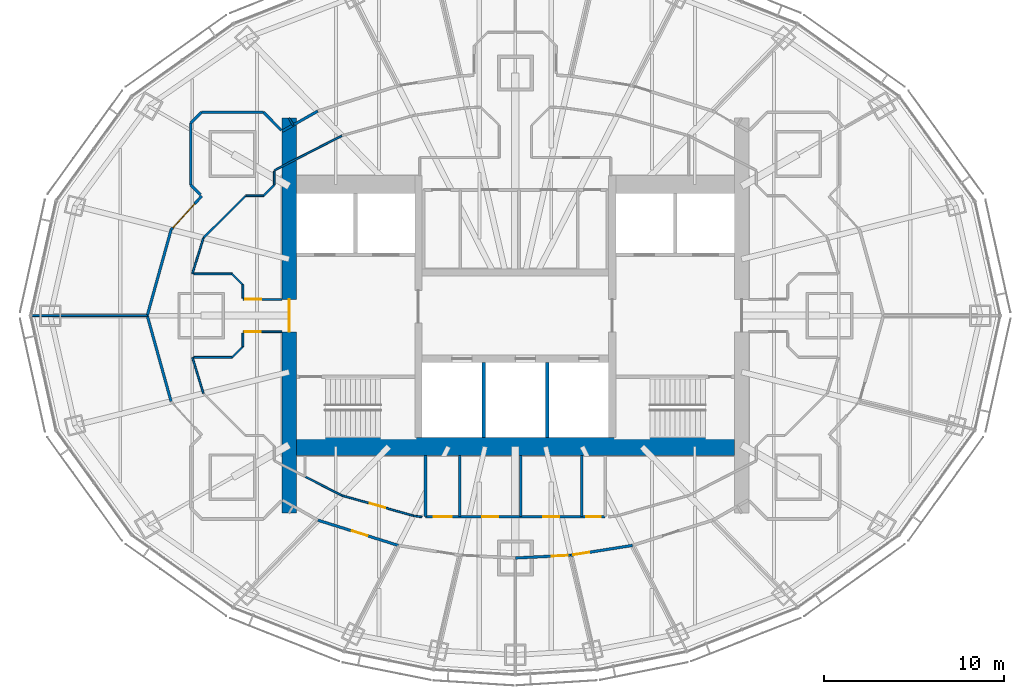
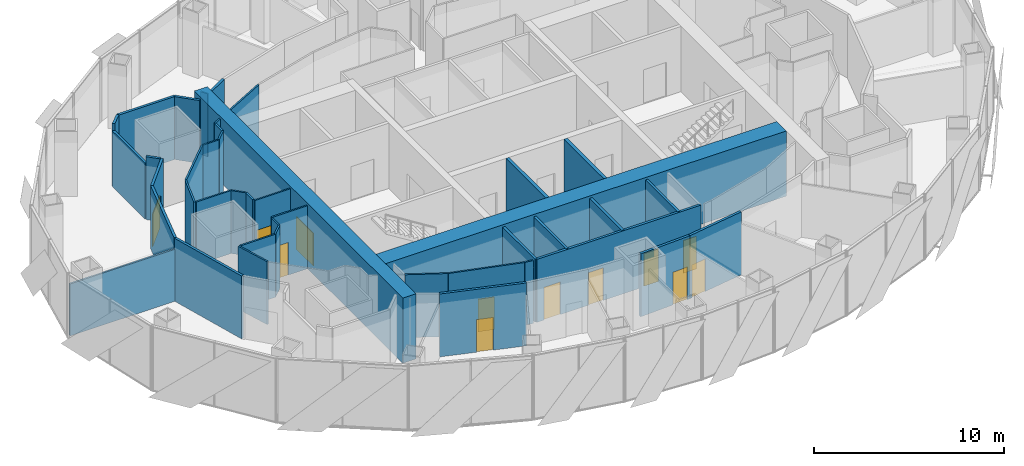
# One storey, part 12 of 18: 41 walls, 12 doors, 12 openings.
"""IFC4 building model written with IfcOpenShell, lengths in metres."""

from ifc_helpers import new_model, si_unit, direction, frame, frame_2d, origin, place, context, subcontext, project, spatial, rectangle, extrude, material, layer, layer_set, type_object, element, fill, save


model = new_model("IFC4")

# Units and contexts
model_context = context("Model", 3, precision=1e-05, world=origin(), true_north=direction((0.0, 1.0)))
body_context = subcontext(model_context, "Body", "Model", "MODEL_VIEW")
ifc_project = project(units=[si_unit("LENGTHUNIT", "METRE"), si_unit("AREAUNIT", "SQUARE_METRE"), si_unit("VOLUMEUNIT", "CUBIC_METRE"), si_unit("PLANEANGLEUNIT", "RADIAN"), si_unit("MASSUNIT", "GRAM", prefix="KILO")], contexts=[model_context])

# Site, building, storey
site_placement = place(None, origin())
site = spatial("IfcSite", under=ifc_project, at=site_placement, CompositionType="ELEMENT")
building_placement = place(site_placement, origin())
building = spatial("IfcBuilding", under=site, at=building_placement, Name="Lantaw Convention Tower", CompositionType="ELEMENT")
storey_placement = place(building_placement, frame((0.0, 0.0, 241.0)))
storey = spatial("IfcBuildingStorey", under=building, at=storey_placement, Name="L56", CompositionType="ELEMENT", Elevation=241.0)

# Wall
ifc_material_1 = material(Name="Concrete C60/75", Category="concrete")
ifc_layer_1 = layer(ifc_material_1, 1.0)
ifc_layer_set_1 = layer_set([ifc_layer_1], Name="Core wall 1000")
wall_type_1 = type_object("IfcWallType", Name="Core wall 1000", PredefinedType="SHEAR", material=ifc_layer_set_1)
wall_1_placement = place(storey_placement, frame((-12.199951171875, -7.300048828125, 0.0), z_axis=(0.0, 0.0, 1.0), x_axis=(1.0, 0.0, 0.0)))
element("IfcWall", 1, at=wall_1_placement, inside=storey, type_object=wall_type_1, Name="Core wall S", PredefinedType="SHEAR", context=body_context, shape_type="SweptSolid", body=[
    extrude(rectangle(XDim=24.39990234375, YDim=1.0, at=frame_2d((12.199951171875, 0.0))), origin(), (0.0, 0.0, 1.0), 4.199951171875),
])

# Wall, opening, door
ifc_layer_2 = layer(ifc_material_1, 0.800048828125)
ifc_layer_set_2 = layer_set([ifc_layer_2], Name="Core wall 800")
wall_type_2 = type_object("IfcWallType", Name="Core wall 800", PredefinedType="SHEAR", material=ifc_layer_set_2)
wall_2_placement = place(storey_placement, frame((-12.60009765625, 11.0, 0.0), z_axis=(0.0, 0.0, 1.0), x_axis=(0.0, -1.0, 0.0)))
wall_2 = element("IfcWall", 2, at=wall_2_placement, inside=storey, type_object=wall_type_2, Name="Core wall W", PredefinedType="SHEAR", context=body_context, shape_type="SweptSolid", body=[
    extrude(rectangle(XDim=22.0, YDim=0.800048828125, at=frame_2d((11.0, 0.0))), origin(), (0.0, 0.0, 1.0), 4.199951171875),
])
opening_1_placement = place(wall_2_placement, frame((10.10009765625, 0.0, 0.0)))
opening_1 = element("IfcOpeningElement", 3, at=opening_1_placement, cuts=wall_2, Name="Opening L56.06", PredefinedType="OPENING", context=body_context, shape_type="SweptSolid", body=[
    extrude(rectangle(XDim=1.800048828125, YDim=2.10009765625, at=frame_2d((0.89990234375, 1.050048828125))), frame((0.0, 0.409912109375, 0.0), z_axis=(0.0, -1.0, 0.0), x_axis=(1.0, 0.0, 0.0)), (0.0, 0.0, 1.0), 0.820068359375),
])
ifc_material_2 = material(Name="Steel, fire rated", Category="steel")
door_type_1 = type_object("IfcDoorType", Name="Lobby double door FD90", OperationType="DOUBLE_DOOR_DOUBLE_SWING", PredefinedType="DOOR", material=ifc_material_2)
door_1_placement = place(opening_1_placement, origin())
door_1 = element("IfcDoor", 4, at=door_1_placement, inside=storey, type_object=door_type_1, Name="Firefighting lobby door", OperationType="DOUBLE_DOOR_DOUBLE_SWING", OverallHeight=2.10009765625, OverallWidth=1.800048828125, PredefinedType="DOOR", context=body_context, shape_type="SweptSolid", body=[
    extrude(rectangle(XDim=1.800048828125, YDim=2.10009765625, at=frame_2d((0.89990234375, 1.050048828125))), frame((0.0, 0.02490234375, 0.0), z_axis=(0.0, -1.0, 0.0), x_axis=(1.0, 0.0, 0.0)), (0.0, 0.0, 1.0), 0.050048828125),
])
fill(opening_1, door_1)

# Walls
ifc_material_3 = material(Name="Gypsum board on steel studs, fire rated", Category="steel")
ifc_layer_3 = layer(ifc_material_3, 0.14990234375)
ifc_layer_set_3 = layer_set([ifc_layer_3], Name="Corridor wall 150 EI 60")
wall_type_3 = type_object("IfcWallType", Name="Corridor wall 150 EI 60", PredefinedType="PARTITIONING", material=ifc_layer_set_3)
for number, where, z_axis, x_axis, name in (
    (5, (-19.171875, 4.780029296875, 0.0), (0.0, 0.0, 1.0), (-0.26770731566, -0.963500281859, 0.0), "Corridor wall 150"),
    (6, (-20.5, 0.0, 0.0), (0.0, 0.0, 1.0), (0.26770731566, -0.963500281859, 0.0), "Corridor wall 150"),
):
    element("IfcWall", number, at=place(storey_placement, frame(where, z_axis=z_axis, x_axis=x_axis)), inside=storey, type_object=wall_type_3, Name=name, PredefinedType="PARTITIONING", context=body_context, shape_type="SweptSolid", body=[
        extrude(rectangle(XDim=4.961181640625, YDim=0.14990234375, at=frame_2d((2.48046875, 0.0))), origin(), (0.0, 0.0, 1.0), 4.050048828125),
    ])

# Wall, opening, door
wall_3_placement = place(storey_placement, frame((-11.000732421875, -11.3916015625, 0.0), z_axis=(0.0, 0.0, 1.0), x_axis=(0.954031103669, -0.299707612903, 0.0)))
wall_3 = element("IfcWall", 7, at=wall_3_placement, inside=storey, type_object=wall_type_3, Name="Corridor wall 150", PredefinedType="PARTITIONING", context=body_context, shape_type="SweptSolid", body=[
    extrude(rectangle(XDim=4.6953125, YDim=0.14990234375, at=frame_2d((2.34765625, 0.0))), origin(), (0.0, 0.0, 1.0), 4.050048828125),
])
opening_2_placement = place(wall_3_placement, frame((2.00048828125, 0.0, 0.0)))
opening_2 = element("IfcOpeningElement", 8, at=opening_2_placement, cuts=wall_3, Name="Opening L56.37", PredefinedType="OPENING", context=body_context, shape_type="SweptSolid", body=[
    extrude(rectangle(XDim=0.89990234375, YDim=2.10009765625, at=frame_2d((0.449951171875, 1.050048828125))), frame((0.0, 0.0849609375, 0.0), z_axis=(0.0, -1.0, 0.0), x_axis=(1.0, 0.0, 0.0)), (0.0, 0.0, 1.0), 0.169921875),
])
door_type_2 = type_object("IfcDoorType", Name="Office door 900 FD30", OperationType="SINGLE_SWING_LEFT", PredefinedType="DOOR", material=ifc_material_2)
door_2_placement = place(opening_2_placement, origin())
door_2 = element("IfcDoor", 9, at=door_2_placement, inside=storey, type_object=door_type_2, Name="Private office door", OperationType="SINGLE_SWING_LEFT", OverallHeight=2.10009765625, OverallWidth=0.89990234375, PredefinedType="DOOR", context=body_context, shape_type="SweptSolid", body=[
    extrude(rectangle(XDim=0.89990234375, YDim=2.10009765625, at=frame_2d((0.449951171875, 1.050048828125))), frame((0.0, 0.02490234375, 0.0), z_axis=(0.0, -1.0, 0.0), x_axis=(1.0, 0.0, 0.0)), (0.0, 0.0, 1.0), 0.050048828125),
])
fill(opening_2, door_2)

wall_4_placement = place(storey_placement, frame((0.0, -13.5, 0.0), z_axis=(0.0, 0.0, 1.0), x_axis=(0.99876434787, 0.049696855278, 0.0)))
wall_4 = element("IfcWall", 10, at=wall_4_placement, inside=storey, type_object=wall_type_3, Name="Corridor wall 150", PredefinedType="PARTITIONING", context=body_context, shape_type="SweptSolid", body=[
    extrude(rectangle(XDim=3.085205078125, YDim=0.14990234375, at=frame_2d((1.54248046875, 0.0))), origin(), (0.0, 0.0, 1.0), 4.050048828125),
])
opening_3_placement = place(wall_4_placement, frame((2.03515625, 0.0, 0.0)))
opening_3 = element("IfcOpeningElement", 11, at=opening_3_placement, cuts=wall_4, Name="Opening L56.40", PredefinedType="OPENING", context=body_context, shape_type="SweptSolid", body=[
    extrude(rectangle(XDim=0.89990234375, YDim=2.10009765625, at=frame_2d((0.449951171875, 1.050048828125))), frame((0.0, 0.0849609375, 0.0), z_axis=(0.0, -1.0, 0.0), x_axis=(1.0, 0.0, 0.0)), (0.0, 0.0, 1.0), 0.169921875),
])
door_3_placement = place(opening_3_placement, origin())
door_3 = element("IfcDoor", 12, at=door_3_placement, inside=storey, type_object=door_type_2, Name="Private office door", OperationType="SINGLE_SWING_LEFT", OverallHeight=2.10009765625, OverallWidth=0.89990234375, PredefinedType="DOOR", context=body_context, shape_type="SweptSolid", body=[
    extrude(rectangle(XDim=0.89990234375, YDim=2.10009765625, at=frame_2d((0.449951171875, 1.050048828125))), frame((0.0, 0.02490234375, 0.0), z_axis=(0.0, -1.0, 0.0), x_axis=(1.0, 0.0, 0.0)), (0.0, 0.0, 1.0), 0.050048828125),
])
fill(opening_3, door_3)

wall_5_placement = place(storey_placement, frame((3.081298828125, -13.3466796875, 0.0), z_axis=(0.0, 0.0, 1.0), x_axis=(0.987554093087, 0.157279729233, 0.0)))
wall_5 = element("IfcWall", 13, at=wall_5_placement, inside=storey, type_object=wall_type_3, Name="Corridor wall 150", PredefinedType="PARTITIONING", context=body_context, shape_type="SweptSolid", body=[
    extrude(rectangle(XDim=3.4833984375, YDim=0.14990234375, at=frame_2d((1.74169921875, 0.0))), origin(), (0.0, 0.0, 1.0), 4.050048828125),
])
opening_4_placement = place(wall_5_placement, frame((0.14990234375, 0.0, 0.0)))
opening_4 = element("IfcOpeningElement", 14, at=opening_4_placement, cuts=wall_5, Name="Opening L56.41", PredefinedType="OPENING", context=body_context, shape_type="SweptSolid", body=[
    extrude(rectangle(XDim=0.89990234375, YDim=2.10009765625, at=frame_2d((0.449951171875, 1.050048828125))), frame((0.0, 0.0849609375, 0.0), z_axis=(0.0, -1.0, 0.0), x_axis=(1.0, 0.0, 0.0)), (0.0, 0.0, 1.0), 0.169921875),
])
door_4_placement = place(opening_4_placement, origin())
door_4 = element("IfcDoor", 15, at=door_4_placement, inside=storey, type_object=door_type_2, Name="Private office door", OperationType="SINGLE_SWING_LEFT", OverallHeight=2.10009765625, OverallWidth=0.89990234375, PredefinedType="DOOR", context=body_context, shape_type="SweptSolid", body=[
    extrude(rectangle(XDim=0.89990234375, YDim=2.10009765625, at=frame_2d((0.449951171875, 1.050048828125))), frame((0.0, 0.02490234375, 0.0), z_axis=(0.0, -1.0, 0.0), x_axis=(1.0, 0.0, 0.0)), (0.0, 0.0, 1.0), 0.050048828125),
])
fill(opening_4, door_4)

# Wall
wall_6_placement = place(storey_placement, frame((-11.000732421875, 11.3916015625, 0.0), z_axis=(0.0, 0.0, 1.0), x_axis=(-0.869722107117, -0.493541747366, 0.0)))
element("IfcWall", 16, at=wall_6_placement, inside=storey, type_object=wall_type_3, Name="Corridor wall 150", PredefinedType="PARTITIONING", context=body_context, shape_type="SweptSolid", body=[
    extrude(rectangle(XDim=2.26953125, YDim=0.14990234375, at=frame_2d((1.134765625, 0.0))), origin(), (0.0, 0.0, 1.0), 4.050048828125),
])

# Wall, opening, door
wall_7_placement = place(storey_placement, frame((-17.462646484375, 6.6650390625, 0.0), z_axis=(0.0, 0.0, 1.0), x_axis=(-0.671721890643, -0.74080341632, 0.0)))
wall_7 = element("IfcWall", 17, at=wall_7_placement, inside=storey, type_object=wall_type_3, Name="Corridor wall 150", PredefinedType="PARTITIONING", context=body_context, shape_type="SweptSolid", body=[
    extrude(rectangle(XDim=2.54443359375, YDim=0.14990234375, at=frame_2d((1.272216796875, 0.0))), origin(), (0.0, 0.0, 1.0), 4.050048828125),
])
opening_5_placement = place(wall_7_placement, frame((0.60009765625, 0.0, 0.0)))
opening_5 = element("IfcOpeningElement", 18, at=opening_5_placement, cuts=wall_7, Name="Opening L56.35", PredefinedType="OPENING", context=body_context, shape_type="SweptSolid", body=[
    extrude(rectangle(XDim=1.800048828125, YDim=2.10009765625, at=frame_2d((0.89990234375, 1.050048828125))), frame((0.0, 0.0849609375, 0.0), z_axis=(0.0, -1.0, 0.0), x_axis=(1.0, 0.0, 0.0)), (0.0, 0.0, 1.0), 0.169921875),
])
door_type_3 = type_object("IfcDoorType", Name="Office double door 1800 FD30", OperationType="DOUBLE_DOOR_DOUBLE_SWING", PredefinedType="DOOR", material=ifc_material_2)
door_5_placement = place(opening_5_placement, origin())
door_5 = element("IfcDoor", 19, at=door_5_placement, inside=storey, type_object=door_type_3, Name="Open office door", OperationType="DOUBLE_DOOR_DOUBLE_SWING", OverallHeight=2.10009765625, OverallWidth=1.800048828125, PredefinedType="DOOR", context=body_context, shape_type="SweptSolid", body=[
    extrude(rectangle(XDim=1.800048828125, YDim=2.10009765625, at=frame_2d((0.89990234375, 1.050048828125))), frame((0.0, 0.02490234375, 0.0), z_axis=(0.0, -1.0, 0.0), x_axis=(1.0, 0.0, 0.0)), (0.0, 0.0, 1.0), 0.050048828125),
])
fill(opening_5, door_5)

# Walls
wall_8_placement = place(storey_placement, frame((-18.074951171875, 10.724609375, 0.0), z_axis=(0.0, 0.0, 1.0), x_axis=(0.707106781187, 0.707106781187, 0.0)))
element("IfcWall", 20, at=wall_8_placement, inside=storey, type_object=wall_type_3, Name="Corridor wall 150", PredefinedType="PARTITIONING", context=body_context, shape_type="SweptSolid", body=[
    extrude(rectangle(XDim=0.84912109375, YDim=0.14990234375, at=frame_2d((0.424560546875, 0.0))), origin(), (0.0, 0.0, 1.0), 4.050048828125),
])
wall_9_placement = place(storey_placement, frame((-17.474609375, 11.324951171875, 0.0), z_axis=(0.0, 0.0, 1.0), x_axis=(1.0, 0.0, 0.0)))
element("IfcWall", 21, at=wall_9_placement, inside=storey, type_object=wall_type_3, Name="Corridor wall 150", PredefinedType="PARTITIONING", context=body_context, shape_type="SweptSolid", body=[
    extrude(rectangle(XDim=3.44921875, YDim=0.14990234375, at=frame_2d((1.724609375, 0.0))), origin(), (0.0, 0.0, 1.0), 4.050048828125),
])
wall_10_placement = place(storey_placement, frame((-14.025390625, 11.324951171875, 0.0), z_axis=(0.0, 0.0, 1.0), x_axis=(0.701113567316, -0.713049623606, 0.0)))
element("IfcWall", 22, at=wall_10_placement, inside=storey, type_object=wall_type_3, Name="Corridor wall 150", PredefinedType="PARTITIONING", context=body_context, shape_type="SweptSolid", body=[
    extrude(rectangle(XDim=1.411376953125, YDim=0.14990234375, at=frame_2d((0.70556640625, 0.0))), origin(), (0.0, 0.0, 1.0), 4.050048828125),
])
wall_11_placement = place(storey_placement, frame((-17.537841796875, 6.73828125, 0.0), z_axis=(0.0, 0.0, 1.0), x_axis=(-0.707106781187, 0.707106781187, 0.0)))
element("IfcWall", 23, at=wall_11_placement, inside=storey, type_object=wall_type_3, Name="Corridor wall 150", PredefinedType="PARTITIONING", context=body_context, shape_type="SweptSolid", body=[
    extrude(rectangle(XDim=0.759521484375, YDim=0.14990234375, at=frame_2d((0.3798828125, 0.0))), origin(), (0.0, 0.0, 1.0), 4.050048828125),
])
wall_12_placement = place(storey_placement, frame((-18.074951171875, 7.275390625, 0.0), z_axis=(0.0, 0.0, 1.0), x_axis=(0.0, 1.0, 0.0)))
element("IfcWall", 24, at=wall_12_placement, inside=storey, type_object=wall_type_3, Name="Corridor wall 150", PredefinedType="PARTITIONING", context=body_context, shape_type="SweptSolid", body=[
    extrude(rectangle(XDim=3.44921875, YDim=0.14990234375, at=frame_2d((1.724609375, 0.0))), origin(), (0.0, 0.0, 1.0), 3.600341796875),
])
ifc_material_4 = material(Name="Gypsum board on steel studs, acoustic", Category="steel")
ifc_layer_4 = layer(ifc_material_4, 0.10009765625)
ifc_layer_set_4 = layer_set([ifc_layer_4], Name="Office partition 100")
wall_type_4 = type_object("IfcWallType", Name="Office partition 100", PredefinedType="PARTITIONING", material=ifc_layer_set_4)
wall_13_placement = place(storey_placement, frame((-26.944091796875, 0.0, 0.0), z_axis=(0.0, 0.0, 1.0), x_axis=(1.0, 0.0, 0.0)))
element("IfcWall", 25, at=wall_13_placement, inside=storey, type_object=wall_type_4, Name="Office partition 100", PredefinedType="PARTITIONING", context=body_context, shape_type="SweptSolid", body=[
    extrude(rectangle(XDim=6.444091796875, YDim=0.10009765625, at=frame_2d((3.22216796875, 0.0))), origin(), (0.0, 0.0, 1.0), 3.348876953125),
])
wall_14_placement = place(storey_placement, frame((-5.199951171875, -11.21630859375, 0.0), z_axis=(0.0, 0.0, 1.0), x_axis=(-0.989797891768, 0.142478536811, 0.0)))
element("IfcWall", 26, at=wall_14_placement, inside=storey, type_object=wall_type_4, Name="Office partition 100", PredefinedType="PARTITIONING", context=body_context, shape_type="SweptSolid", body=[
    extrude(rectangle(XDim=0.48486328125, YDim=0.10009765625, at=frame_2d((0.242431640625, 0.0))), origin(), (0.0, 0.0, 1.0), 4.050048828125),
])

# Wall, opening, door
wall_15_placement = place(storey_placement, frame((-5.679931640625, -11.147216796875, 0.0), z_axis=(0.0, 0.0, 1.0), x_axis=(-0.961973498971, 0.273142796496, 0.0)))
wall_15 = element("IfcWall", 27, at=wall_15_placement, inside=storey, type_object=wall_type_4, Name="Office partition 100", PredefinedType="PARTITIONING", context=body_context, shape_type="SweptSolid", body=[
    extrude(rectangle(XDim=4.148193359375, YDim=0.10009765625, at=frame_2d((2.07421875, 0.0))), origin(), (0.0, 0.0, 1.0), 4.050048828125),
])
opening_6_placement = place(wall_15_placement, frame((1.624267578125, 0.0, 0.0)))
opening_6 = element("IfcOpeningElement", 28, at=opening_6_placement, cuts=wall_15, Name="Opening L56.23", PredefinedType="OPENING", context=body_context, shape_type="SweptSolid", body=[
    extrude(rectangle(XDim=0.89990234375, YDim=2.10009765625, at=frame_2d((0.449951171875, 1.050048828125))), frame((0.0, 0.06005859375, 0.0), z_axis=(0.0, -1.0, 0.0), x_axis=(1.0, 0.0, 0.0)), (0.0, 0.0, 1.0), 0.1201171875),
])
ifc_material_5 = material(Name="Timber", Category="wood")
door_type_4 = type_object("IfcDoorType", Name="Office door 900", OperationType="SINGLE_SWING_LEFT", PredefinedType="DOOR", material=ifc_material_5)
door_6_placement = place(opening_6_placement, origin())
door_6 = element("IfcDoor", 29, at=door_6_placement, inside=storey, type_object=door_type_4, Name="Project room door", OperationType="SINGLE_SWING_LEFT", OverallHeight=2.10009765625, OverallWidth=0.89990234375, PredefinedType="DOOR", context=body_context, shape_type="SweptSolid", body=[
    extrude(rectangle(XDim=0.89990234375, YDim=2.10009765625, at=frame_2d((0.449951171875, 1.050048828125))), frame((0.0, 0.02490234375, 0.0), z_axis=(0.0, -1.0, 0.0), x_axis=(1.0, 0.0, 0.0)), (0.0, 0.0, 1.0), 0.050048828125),
])
fill(opening_6, door_6)

# Walls
wall_16_placement = place(storey_placement, frame((-9.67041015625, -10.01416015625, 0.0), z_axis=(0.0, 0.0, 1.0), x_axis=(-0.889605609385, 0.456729525814, 0.0)))
element("IfcWall", 30, at=wall_16_placement, inside=storey, type_object=wall_type_4, Name="Office partition 100", PredefinedType="PARTITIONING", context=body_context, shape_type="SweptSolid", body=[
    extrude(rectangle(XDim=2.292724609375, YDim=0.10009765625, at=frame_2d((1.146484375, 0.0))), origin(), (0.0, 0.0, 1.0), 4.050048828125),
])
wall_17_placement = place(storey_placement, frame((-12.60009765625, 11.0, 0.0), z_axis=(0.0, 0.0, 1.0), x_axis=(0.493794495037, -0.869578631678, 0.0)))
element("IfcWall", 31, at=wall_17_placement, inside=storey, type_object=wall_type_4, Name="Office partition 100", PredefinedType="PARTITIONING", context=body_context, shape_type="SweptSolid", body=[
    extrude(rectangle(XDim=0.448974609375, YDim=0.10009765625, at=frame_2d((0.224609375, 0.0))), origin(), (0.0, 0.0, 1.0), 4.050048828125),
])
wall_18_placement = place(storey_placement, frame((-17.37158203125, -4.331298828125, 0.0), z_axis=(0.0, 0.0, 1.0), x_axis=(-0.293231279211, 0.956041535129, 0.0)))
element("IfcWall", 32, at=wall_18_placement, inside=storey, type_object=wall_type_4, Name="Office partition 100", PredefinedType="PARTITIONING", context=body_context, shape_type="SweptSolid", body=[
    extrude(rectangle(XDim=2.088134765625, YDim=0.10009765625, at=frame_2d((1.0439453125, 0.0))), origin(), (0.0, 0.0, 1.0), 4.050048828125),
])

# Wall, opening, door
wall_19_placement = place(storey_placement, frame((-15.1650390625, -0.89990234375, 0.0), z_axis=(0.0, 0.0, 1.0), x_axis=(1.0, 0.0, 0.0)))
wall_19 = element("IfcWall", 33, at=wall_19_placement, inside=storey, type_object=wall_type_4, Name="Office partition 100", PredefinedType="PARTITIONING", context=body_context, shape_type="SweptSolid", body=[
    extrude(rectangle(XDim=2.1650390625, YDim=0.10009765625, at=frame_2d((1.08251953125, 0.0))), origin(), (0.0, 0.0, 1.0), 4.050048828125),
])
opening_7_placement = place(wall_19_placement, frame((0.10009765625, 0.0, 0.0)))
opening_7 = element("IfcOpeningElement", 34, at=opening_7_placement, cuts=wall_19, Name="Opening L56.22", PredefinedType="OPENING", context=body_context, shape_type="SweptSolid", body=[
    extrude(rectangle(XDim=0.89990234375, YDim=2.10009765625, at=frame_2d((0.449951171875, 1.050048828125))), frame((0.0, 0.06005859375, 0.0), z_axis=(0.0, -1.0, 0.0), x_axis=(1.0, 0.0, 0.0)), (0.0, 0.0, 1.0), 0.1201171875),
])
door_7_placement = place(opening_7_placement, origin())
door_7 = element("IfcDoor", 35, at=door_7_placement, inside=storey, type_object=door_type_4, Name="Meeting room door", OperationType="SINGLE_SWING_LEFT", OverallHeight=2.10009765625, OverallWidth=0.89990234375, PredefinedType="DOOR", context=body_context, shape_type="SweptSolid", body=[
    extrude(rectangle(XDim=0.89990234375, YDim=2.10009765625, at=frame_2d((0.449951171875, 1.050048828125))), frame((0.0, 0.02490234375, 0.0), z_axis=(0.0, -1.0, 0.0), x_axis=(1.0, 0.0, 0.0)), (0.0, 0.0, 1.0), 0.050048828125),
])
fill(opening_7, door_7)

wall_20_placement = place(storey_placement, frame((-13.0, 0.89990234375, 0.0), z_axis=(0.0, 0.0, 1.0), x_axis=(-1.0, 0.0, 0.0)))
wall_20 = element("IfcWall", 36, at=wall_20_placement, inside=storey, type_object=wall_type_4, Name="Office partition 100", PredefinedType="PARTITIONING", context=body_context, shape_type="SweptSolid", body=[
    extrude(rectangle(XDim=2.1650390625, YDim=0.10009765625, at=frame_2d((1.08251953125, 0.0))), origin(), (0.0, 0.0, 1.0), 4.050048828125),
])
opening_8_placement = place(wall_20_placement, frame((1.14990234375, 0.0, 0.0)))
opening_8 = element("IfcOpeningElement", 37, at=opening_8_placement, cuts=wall_20, Name="Opening L56.27", PredefinedType="OPENING", context=body_context, shape_type="SweptSolid", body=[
    extrude(rectangle(XDim=0.89990234375, YDim=2.10009765625, at=frame_2d((0.449951171875, 1.050048828125))), frame((0.0, 0.06005859375, 0.0), z_axis=(0.0, -1.0, 0.0), x_axis=(1.0, 0.0, 0.0)), (0.0, 0.0, 1.0), 0.1201171875),
])
door_8_placement = place(opening_8_placement, origin())
door_8 = element("IfcDoor", 38, at=door_8_placement, inside=storey, type_object=door_type_4, Name="Project room door", OperationType="SINGLE_SWING_LEFT", OverallHeight=2.10009765625, OverallWidth=0.89990234375, PredefinedType="DOOR", context=body_context, shape_type="SweptSolid", body=[
    extrude(rectangle(XDim=0.89990234375, YDim=2.10009765625, at=frame_2d((0.449951171875, 1.050048828125))), frame((0.0, 0.02490234375, 0.0), z_axis=(0.0, -1.0, 0.0), x_axis=(1.0, 0.0, 0.0)), (0.0, 0.0, 1.0), 0.050048828125),
])
fill(opening_8, door_8)

# Walls
wall_21_placement = place(storey_placement, frame((-17.98388671875, 2.3349609375, 0.0), z_axis=(0.0, 0.0, 1.0), x_axis=(0.293231279211, 0.956041535129, 0.0)))
element("IfcWall", 39, at=wall_21_placement, inside=storey, type_object=wall_type_4, Name="Office partition 100", PredefinedType="PARTITIONING", context=body_context, shape_type="SweptSolid", body=[
    extrude(rectangle(XDim=2.088134765625, YDim=0.10009765625, at=frame_2d((1.0439453125, 0.0))), origin(), (0.0, 0.0, 1.0), 4.050048828125),
])
wall_22_placement = place(storey_placement, frame((-15.175048828125, -0.978271484375, 0.0), z_axis=(0.0, 0.0, 1.0), x_axis=(0.0, -1.0, 0.0)))
element("IfcWall", 40, at=wall_22_placement, inside=storey, type_object=wall_type_4, Name="Office partition 100", PredefinedType="PARTITIONING", context=body_context, shape_type="SweptSolid", body=[
    extrude(rectangle(XDim=0.746337890625, YDim=0.10009765625, at=frame_2d((0.373046875, 0.0))), origin(), (0.0, 0.0, 1.0), 4.050048828125),
])
wall_23_placement = place(storey_placement, frame((-15.175048828125, -1.724609375, 0.0), z_axis=(0.0, 0.0, 1.0), x_axis=(-0.707106781187, -0.707106781187, 0.0)))
element("IfcWall", 41, at=wall_23_placement, inside=storey, type_object=wall_type_4, Name="Office partition 100", PredefinedType="PARTITIONING", context=body_context, shape_type="SweptSolid", body=[
    extrude(rectangle(XDim=0.84912109375, YDim=0.10009765625, at=frame_2d((0.424560546875, 0.0))), origin(), (0.0, 0.0, 1.0), 4.050048828125),
])
for number, where, z_axis, x_axis, name in (
    (42, (-15.775390625, -2.324951171875, 0.0), (0.0, 0.0, 1.0), (-1.0, 0.0, 0.0), "Office partition 100"),
    (43, (-17.903076171875, 2.324951171875, 0.0), (0.0, 0.0, 1.0), (1.0, 0.0, 0.0), "Office partition 100"),
):
    element("IfcWall", number, at=place(storey_placement, frame(where, z_axis=z_axis, x_axis=x_axis)), inside=storey, type_object=wall_type_4, Name=name, PredefinedType="PARTITIONING", context=body_context, shape_type="SweptSolid", body=[
        extrude(rectangle(XDim=2.127685546875, YDim=0.10009765625, at=frame_2d((1.06396484375, 0.0))), origin(), (0.0, 0.0, 1.0), 4.050048828125),
    ])
wall_24_placement = place(storey_placement, frame((-15.775390625, 2.324951171875, 0.0), z_axis=(0.0, 0.0, 1.0), x_axis=(0.707106781187, -0.707106781187, 0.0)))
element("IfcWall", 44, at=wall_24_placement, inside=storey, type_object=wall_type_4, Name="Office partition 100", PredefinedType="PARTITIONING", context=body_context, shape_type="SweptSolid", body=[
    extrude(rectangle(XDim=0.84912109375, YDim=0.10009765625, at=frame_2d((0.424560546875, 0.0))), origin(), (0.0, 0.0, 1.0), 4.050048828125),
])
wall_25_placement = place(storey_placement, frame((-15.175048828125, 1.724609375, 0.0), z_axis=(0.0, 0.0, 1.0), x_axis=(0.0, -1.0, 0.0)))
element("IfcWall", 45, at=wall_25_placement, inside=storey, type_object=wall_type_4, Name="Office partition 100", PredefinedType="PARTITIONING", context=body_context, shape_type="SweptSolid", body=[
    extrude(rectangle(XDim=0.746337890625, YDim=0.10009765625, at=frame_2d((0.373046875, 0.0))), origin(), (0.0, 0.0, 1.0), 4.050048828125),
])
wall_26_placement = place(storey_placement, frame((-17.37158203125, 4.331298828125, 0.0), z_axis=(0.0, 0.0, 1.0), x_axis=(0.707587114823, 0.70662612104, 0.0)))
element("IfcWall", 46, at=wall_26_placement, inside=storey, type_object=wall_type_4, Name="Office partition 100", PredefinedType="PARTITIONING", context=body_context, shape_type="SweptSolid", body=[
    extrude(rectangle(XDim=3.302734375, YDim=0.10009765625, at=frame_2d((1.6513671875, 0.0))), origin(), (0.0, 0.0, 1.0), 4.050048828125),
])
wall_27_placement = place(storey_placement, frame((-13.4150390625, 8.091796875, 0.0), z_axis=(0.0, 0.0, 1.0), x_axis=(0.889620520549, 0.45670048108, 0.0)))
element("IfcWall", 47, at=wall_27_placement, inside=storey, type_object=wall_type_4, Name="Office partition 100", PredefinedType="PARTITIONING", context=body_context, shape_type="SweptSolid", body=[
    extrude(rectangle(XDim=4.209228515625, YDim=0.10009765625, at=frame_2d((2.1044921875, 0.0))), origin(), (0.0, 0.0, 1.0), 4.050048828125),
])
wall_28_placement = place(storey_placement, frame((-13.425048828125, 8.045654296875, 0.0), z_axis=(0.0, 0.0, 1.0), x_axis=(0.0, -1.0, 0.0)))
element("IfcWall", 48, at=wall_28_placement, inside=storey, type_object=wall_type_4, Name="Office partition 100", PredefinedType="PARTITIONING", context=body_context, shape_type="SweptSolid", body=[
    extrude(rectangle(XDim=0.770263671875, YDim=0.10009765625, at=frame_2d((0.38525390625, 0.0))), origin(), (0.0, 0.0, 1.0), 4.050048828125),
])
wall_29_placement = place(storey_placement, frame((-13.425048828125, 7.275390625, 0.0), z_axis=(0.0, 0.0, 1.0), x_axis=(-0.707106781187, -0.707106781187, 0.0)))
element("IfcWall", 49, at=wall_29_placement, inside=storey, type_object=wall_type_4, Name="Office partition 100", PredefinedType="PARTITIONING", context=body_context, shape_type="SweptSolid", body=[
    extrude(rectangle(XDim=0.84912109375, YDim=0.10009765625, at=frame_2d((0.424560546875, 0.0))), origin(), (0.0, 0.0, 1.0), 4.050048828125),
])
wall_30_placement = place(storey_placement, frame((-14.025390625, 6.675048828125, 0.0), z_axis=(0.0, 0.0, 1.0), x_axis=(-1.0, 0.0, 0.0)))
element("IfcWall", 50, at=wall_30_placement, inside=storey, type_object=wall_type_4, Name="Office partition 100", PredefinedType="PARTITIONING", context=body_context, shape_type="SweptSolid", body=[
    extrude(rectangle(XDim=0.976806640625, YDim=0.10009765625, at=frame_2d((0.48828125, 0.0))), origin(), (0.0, 0.0, 1.0), 4.050048828125),
])
ifc_material_6 = material(Name="Concrete blockwork, fire rated", Category="masonry")
ifc_layer_5 = layer(ifc_material_6, 0.199951171875)
ifc_layer_set_5 = layer_set([ifc_layer_5], Name="Shaft wall 200 load-bearing")
wall_type_5 = type_object("IfcWallType", Name="Shaft wall 200 load-bearing", PredefinedType="SOLIDWALL", material=ifc_layer_set_5)
for number, where, z_axis, x_axis, name in (
    (51, (-1.7666015625, -2.60009765625, 0.0), (0.0, 0.0, 1.0), (0.0, -1.0, 0.0), "Shaft wall DS1"),
    (52, (1.7666015625, -2.60009765625, 0.0), (0.0, 0.0, 1.0), (0.0, -1.0, 0.0), "Shaft wall DS2"),
):
    element("IfcWall", number, at=place(storey_placement, frame(where, z_axis=z_axis, x_axis=x_axis)), inside=storey, type_object=wall_type_5, Name=name, PredefinedType="SOLIDWALL", context=body_context, shape_type="SweptSolid", body=[
        extrude(rectangle(XDim=4.199951171875, YDim=0.199951171875, at=frame_2d((2.10009765625, 0.0))), origin(), (0.0, 0.0, 1.0), 4.199951171875),
    ])

# Wall, openings, doors
ifc_material_7 = material(Name="Concrete blockwork", Category="masonry")
ifc_layer_6 = layer(ifc_material_7, 0.14990234375)
ifc_layer_set_6 = layer_set([ifc_layer_6], Name="WC wall 150")
wall_type_6 = type_object("IfcWallType", Name="WC wall 150", PredefinedType="SOLIDWALL", material=ifc_layer_set_6)
wall_31_placement = place(storey_placement, frame((-5.0, -11.199951171875, 0.0), z_axis=(0.0, 0.0, 1.0), x_axis=(1.0, 0.0, 0.0)))
wall_31 = element("IfcWall", 53, at=wall_31_placement, inside=storey, type_object=wall_type_6, Name="WC wall 150", PredefinedType="SOLIDWALL", context=body_context, shape_type="SweptSolid", body=[
    extrude(rectangle(XDim=10.0, YDim=0.14990234375, at=frame_2d((5.0, 0.0))), origin(), (0.0, 0.0, 1.0), 4.050048828125),
])
opening_9_placement = place(wall_31_placement, frame((0.449951171875, 0.0, 0.0)))
opening_9 = element("IfcOpeningElement", 54, at=opening_9_placement, cuts=wall_31, Name="Opening L56.18", PredefinedType="OPENING", context=body_context, shape_type="SweptSolid", body=[
    extrude(rectangle(XDim=1.0, YDim=2.10009765625, at=frame_2d((0.5, 1.050048828125))), frame((0.0, 0.0849609375, 0.0), z_axis=(0.0, -1.0, 0.0), x_axis=(1.0, 0.0, 0.0)), (0.0, 0.0, 1.0), 0.169921875),
])
opening_10_placement = place(wall_31_placement, frame((3.14990234375, 0.0, 0.0)))
opening_10 = element("IfcOpeningElement", 55, at=opening_10_placement, cuts=wall_31, Name="Opening L56.19", PredefinedType="OPENING", context=body_context, shape_type="SweptSolid", body=[
    extrude(rectangle(XDim=0.89990234375, YDim=2.10009765625, at=frame_2d((0.449951171875, 1.050048828125))), frame((0.0, 0.0849609375, 0.0), z_axis=(0.0, -1.0, 0.0), x_axis=(1.0, 0.0, 0.0)), (0.0, 0.0, 1.0), 0.169921875),
])
opening_11_placement = place(wall_31_placement, frame((6.550048828125, 0.0, 0.0)))
opening_11 = element("IfcOpeningElement", 56, at=opening_11_placement, cuts=wall_31, Name="Opening L56.20", PredefinedType="OPENING", context=body_context, shape_type="SweptSolid", body=[
    extrude(rectangle(XDim=0.89990234375, YDim=2.10009765625, at=frame_2d((0.449951171875, 1.050048828125))), frame((0.0, 0.0849609375, 0.0), z_axis=(0.0, -1.0, 0.0), x_axis=(1.0, 0.0, 0.0)), (0.0, 0.0, 1.0), 0.169921875),
])
opening_12_placement = place(wall_31_placement, frame((8.949951171875, 0.0, 0.0)))
opening_12 = element("IfcOpeningElement", 57, at=opening_12_placement, cuts=wall_31, Name="Opening L56.21", PredefinedType="OPENING", context=body_context, shape_type="SweptSolid", body=[
    extrude(rectangle(XDim=0.800048828125, YDim=2.10009765625, at=frame_2d((0.39990234375, 1.050048828125))), frame((0.0, 0.0849609375, 0.0), z_axis=(0.0, -1.0, 0.0), x_axis=(1.0, 0.0, 0.0)), (0.0, 0.0, 1.0), 0.169921875),
])
door_type_5 = type_object("IfcDoorType", Name="Accessible WC door 1000", OperationType="SINGLE_SWING_LEFT", PredefinedType="DOOR", material=ifc_material_5)
door_9_placement = place(opening_9_placement, origin())
door_9 = element("IfcDoor", 58, at=door_9_placement, inside=storey, type_object=door_type_5, Name="Accessible WC door", OperationType="SINGLE_SWING_LEFT", OverallHeight=2.10009765625, OverallWidth=1.0, PredefinedType="DOOR", context=body_context, shape_type="SweptSolid", body=[
    extrude(rectangle(XDim=1.0, YDim=2.10009765625, at=frame_2d((0.5, 1.050048828125))), frame((0.0, 0.02490234375, 0.0), z_axis=(0.0, -1.0, 0.0), x_axis=(1.0, 0.0, 0.0)), (0.0, 0.0, 1.0), 0.050048828125),
])
fill(opening_9, door_9)
door_type_6 = type_object("IfcDoorType", Name="WC door 800", OperationType="SINGLE_SWING_LEFT", PredefinedType="DOOR", material=ifc_material_5)
door_10_placement = place(opening_12_placement, origin())
door_10 = element("IfcDoor", 59, at=door_10_placement, inside=storey, type_object=door_type_6, Name="Pantry door", OperationType="SINGLE_SWING_LEFT", OverallHeight=2.10009765625, OverallWidth=0.800048828125, PredefinedType="DOOR", context=body_context, shape_type="SweptSolid", body=[
    extrude(rectangle(XDim=0.800048828125, YDim=2.10009765625, at=frame_2d((0.39990234375, 1.050048828125))), frame((0.0, 0.02490234375, 0.0), z_axis=(0.0, -1.0, 0.0), x_axis=(1.0, 0.0, 0.0)), (0.0, 0.0, 1.0), 0.050048828125),
])
fill(opening_12, door_10)
door_type_7 = type_object("IfcDoorType", Name="WC door 900", OperationType="SINGLE_SWING_LEFT", PredefinedType="DOOR", material=ifc_material_5)
door_11_placement = place(opening_10_placement, origin())
door_11 = element("IfcDoor", 60, at=door_11_placement, inside=storey, type_object=door_type_7, Name="Male WC door", OperationType="SINGLE_SWING_LEFT", OverallHeight=2.10009765625, OverallWidth=0.89990234375, PredefinedType="DOOR", context=body_context, shape_type="SweptSolid", body=[
    extrude(rectangle(XDim=0.89990234375, YDim=2.10009765625, at=frame_2d((0.449951171875, 1.050048828125))), frame((0.0, 0.02490234375, 0.0), z_axis=(0.0, -1.0, 0.0), x_axis=(1.0, 0.0, 0.0)), (0.0, 0.0, 1.0), 0.050048828125),
])
fill(opening_10, door_11)
door_12_placement = place(opening_11_placement, origin())
door_12 = element("IfcDoor", 61, at=door_12_placement, inside=storey, type_object=door_type_7, Name="Female WC door", OperationType="SINGLE_SWING_LEFT", OverallHeight=2.10009765625, OverallWidth=0.89990234375, PredefinedType="DOOR", context=body_context, shape_type="SweptSolid", body=[
    extrude(rectangle(XDim=0.89990234375, YDim=2.10009765625, at=frame_2d((0.449951171875, 1.050048828125))), frame((0.0, 0.02490234375, 0.0), z_axis=(0.0, -1.0, 0.0), x_axis=(1.0, 0.0, 0.0)), (0.0, 0.0, 1.0), 0.050048828125),
])
fill(opening_11, door_12)

# Walls
for number, where, z_axis, x_axis, name in (
    (62, (-5.0, -7.800048828125, 0.0), (0.0, 0.0, 1.0), (0.0, -1.0, 0.0), "WC wall 150"),
    (63, (-3.10009765625, -7.800048828125, 0.0), (0.0, 0.0, 1.0), (0.0, -1.0, 0.0), "WC wall 150"),
    (64, (0.300048828125, -7.800048828125, 0.0), (0.0, 0.0, 1.0), (0.0, -1.0, 0.0), "WC wall 150"),
    (65, (3.699951171875, -7.800048828125, 0.0), (0.0, 0.0, 1.0), (0.0, -1.0, 0.0), "WC wall 150"),
):
    element("IfcWall", number, at=place(storey_placement, frame(where, z_axis=z_axis, x_axis=x_axis)), inside=storey, type_object=wall_type_6, Name=name, PredefinedType="SOLIDWALL", context=body_context, shape_type="SweptSolid", body=[
        extrude(rectangle(XDim=3.39990234375, YDim=0.14990234375, at=frame_2d((1.699951171875, 0.0))), origin(), (0.0, 0.0, 1.0), 4.050048828125),
    ])

save(model, "model.ifc")
